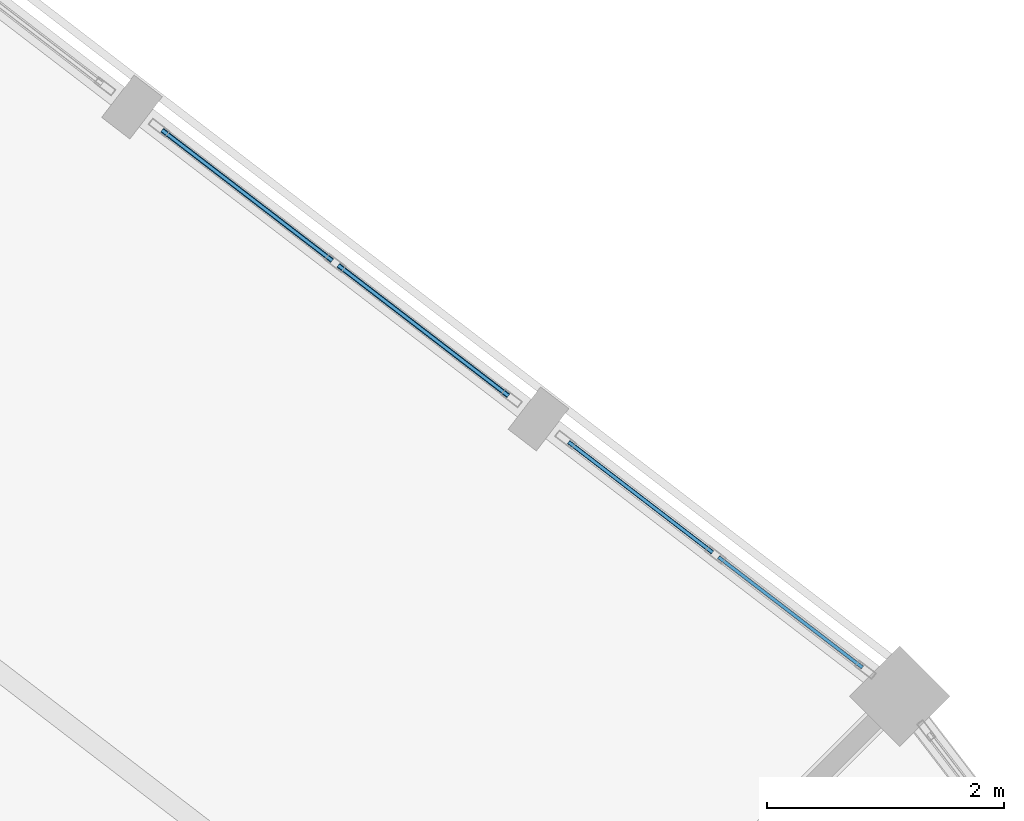
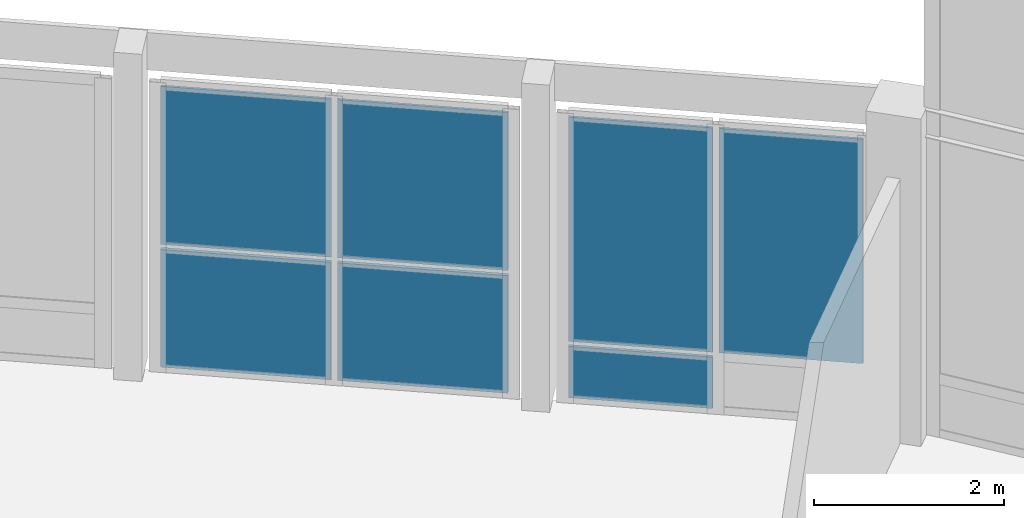
# One storey, part 147 of 185: 7 plates, 2 elements without a shape of their own.
"""IFC4 building model written with IfcOpenShell, lengths in metres."""

from ifc_helpers import new_model, si_unit, direction, frame, origin, origin_2d, place, context, subcontext, project, spatial, rectangle, extrude, material, layer, layer_set, type_object, element, aggregate, save


model = new_model("IFC4")

# Units and contexts
model_context = context("Model", 3, precision=1e-05, world=origin(), true_north=direction((0.0, 1.0)))
body_context = subcontext(model_context, "Body", "Model", "MODEL_VIEW")
ifc_project = project(units=[si_unit("LENGTHUNIT", "METRE"), si_unit("AREAUNIT", "SQUARE_METRE"), si_unit("VOLUMEUNIT", "CUBIC_METRE"), si_unit("PLANEANGLEUNIT", "RADIAN"), si_unit("MASSUNIT", "GRAM", prefix="KILO")], contexts=[model_context])

# Site, building, storey
site_placement = place(None, origin())
site = spatial("IfcSite", under=ifc_project, at=site_placement, CompositionType="ELEMENT")
building_placement = place(site_placement, origin())
building = spatial("IfcBuilding", under=site, at=building_placement, Name="Vondelvale Polytechnic", CompositionType="ELEMENT")
storey_placement = place(building_placement, frame((0.0, 0.0, 9.60009765625)))
storey = spatial("IfcBuildingStorey", under=building, at=storey_placement, Name="L02", CompositionType="ELEMENT", Elevation=9.60009765625)

# Curtain wall, plates
ifc_material_1 = material(Name="Glulam GL18 structural Tasmanian oak (fb = 42 MPa)", Category="wood")
curtain_wall_type = type_object("IfcCurtainWallType", Name="CW-RING-OUTER", PredefinedType="NOTDEFINED", material=ifc_material_1)
curtain_wall_1_placement = place(storey_placement, origin())
curtain_wall_1 = element("IfcCurtainWall", 1, at=curtain_wall_1_placement, inside=storey, type_object=curtain_wall_type, Name="L02 architectural curtain wall CW-04-105", PredefinedType="NOTDEFINED")
ifc_material_2 = material(Name="Double-glazed low-E insulated architectural glass", Category="glass")
ifc_layer_1 = layer(ifc_material_2, 0.028076171875)
ifc_layer_set_1 = layer_set([ifc_layer_1], Name="CW-PANEL-GLAZED")
plate_type_1 = type_object("IfcPlateType", Name="CW-PANEL-GLAZED", PredefinedType="CURTAIN_PANEL", material=ifc_layer_set_1)
plate_1_placement = place(storey_placement, frame((133.6044921875, 105.234619140625, 0.780029296875), z_axis=(0.0, 0.0, 1.0), x_axis=(-0.793333825656, 0.608786860133, 0.0)))
plate_1 = element("IfcPlate", 2, at=plate_1_placement, type_object=plate_type_1, Name="CW-04-105 panel 1.2", PredefinedType="CURTAIN_PANEL", context=body_context, shape_type="SweptSolid", body=[
    extrude(rectangle(XDim=1.530029296875, YDim=0.028076171875, at=origin_2d()), origin(), (0.0, 0.0, 1.0), 2.8798828125),
])
plate_2_placement = place(storey_placement, frame((132.339111328125, 106.205810546875, 0.780029296875), z_axis=(0.0, 0.0, 1.0), x_axis=(-0.793333825656, 0.608786860133, 0.0)))
plate_2 = element("IfcPlate", 3, at=plate_2_placement, type_object=plate_type_1, Name="CW-04-105 panel 2.2", PredefinedType="CURTAIN_PANEL", context=body_context, shape_type="SweptSolid", body=[
    extrude(rectangle(XDim=1.530029296875, YDim=0.028076171875, at=origin_2d()), origin(), (0.0, 0.0, 1.0), 2.8798828125),
])

curtain_wall_2_placement = place(storey_placement, origin())
curtain_wall_2 = element("IfcCurtainWall", 4, at=curtain_wall_2_placement, inside=storey, type_object=curtain_wall_type, Name="L02 architectural curtain wall CW-04-106", PredefinedType="NOTDEFINED")
plate_3_placement = place(storey_placement, frame((130.5068359375, 107.611572265625, 1.6298828125), z_axis=(0.0, 0.0, 1.0), x_axis=(-0.793345851043, 0.608771189063, 0.0)))
plate_3 = element("IfcPlate", 5, at=plate_3_placement, type_object=plate_type_1, Name="CW-04-106 panel 1.2", PredefinedType="CURTAIN_PANEL", context=body_context, shape_type="SweptSolid", body=[
    extrude(rectangle(XDim=1.80908203125, YDim=0.028076171875, at=origin_2d()), origin(), (0.0, 0.0, 1.0), 2.030029296875),
])
plate_4_placement = place(storey_placement, frame((129.02001953125, 108.75244140625, 1.6298828125), z_axis=(0.0, 0.0, 1.0), x_axis=(-0.793345851043, 0.608771189063, 0.0)))
plate_4 = element("IfcPlate", 6, at=plate_4_placement, type_object=plate_type_1, Name="CW-04-106 panel 2.2", PredefinedType="CURTAIN_PANEL", context=body_context, shape_type="SweptSolid", body=[
    extrude(rectangle(XDim=1.80908203125, YDim=0.028076171875, at=origin_2d()), origin(), (0.0, 0.0, 1.0), 2.030029296875),
])
ifc_material_3 = material(Name="Engineered Tasmanian oak studio and bridge joinery")
ifc_layer_2 = layer(ifc_material_3, 0.0419921875)
ifc_layer_set_2 = layer_set([ifc_layer_2], Name="CW-PANEL-OAK")
plate_type_2 = type_object("IfcPlateType", Name="CW-PANEL-OAK", PredefinedType="CURTAIN_PANEL", material=ifc_layer_set_2)
plate_5_placement = place(storey_placement, frame((130.5068359375, 107.611572265625, 0.06005859375), z_axis=(0.0, 0.0, 1.0), x_axis=(-0.793345851043, 0.608771189063, 0.0)))
plate_5 = element("IfcPlate", 7, at=plate_5_placement, type_object=plate_type_2, Name="CW-04-106 panel 1.1", PredefinedType="CURTAIN_PANEL", context=body_context, shape_type="SweptSolid", body=[
    extrude(rectangle(XDim=1.80908203125, YDim=0.0419921875, at=origin_2d()), origin(), (0.0, 0.0, 1.0), 1.510009765625),
])
plate_6_placement = place(storey_placement, frame((129.02001953125, 108.75244140625, 0.06005859375), z_axis=(0.0, 0.0, 1.0), x_axis=(-0.793345851043, 0.608771189063, 0.0)))
plate_6 = element("IfcPlate", 8, at=plate_6_placement, type_object=plate_type_2, Name="CW-04-106 panel 2.1", PredefinedType="CURTAIN_PANEL", context=body_context, shape_type="SweptSolid", body=[
    extrude(rectangle(XDim=1.80908203125, YDim=0.0419921875, at=origin_2d()), origin(), (0.0, 0.0, 1.0), 1.510009765625),
])
aggregate(curtain_wall_2, [plate_5, plate_3, plate_6, plate_4])

# Plate
ifc_material_4 = material(Name="Kiln-fired architectural terracotta", Category="masonry")
ifc_layer_3 = layer(ifc_material_4, 0.035888671875)
ifc_layer_set_3 = layer_set([ifc_layer_3], Name="CW-PANEL-SPANDREL")
plate_type_3 = type_object("IfcPlateType", Name="CW-PANEL-SPANDREL", PredefinedType="CURTAIN_PANEL", material=ifc_layer_set_3)
plate_7_placement = place(storey_placement, frame((132.339111328125, 106.205810546875, 0.06005859375), z_axis=(0.0, 0.0, 1.0), x_axis=(-0.793333825656, 0.608786860133, 0.0)))
plate_7 = element("IfcPlate", 9, at=plate_7_placement, type_object=plate_type_3, Name="CW-04-105 panel 2.1", PredefinedType="CURTAIN_PANEL", context=body_context, shape_type="SweptSolid", body=[
    extrude(rectangle(XDim=1.530029296875, YDim=0.035888671875, at=origin_2d()), origin(), (0.0, 0.0, 1.0), 0.659912109375),
])

aggregate(curtain_wall_1, [plate_1, plate_7, plate_2])

save(model, "model.ifc")
